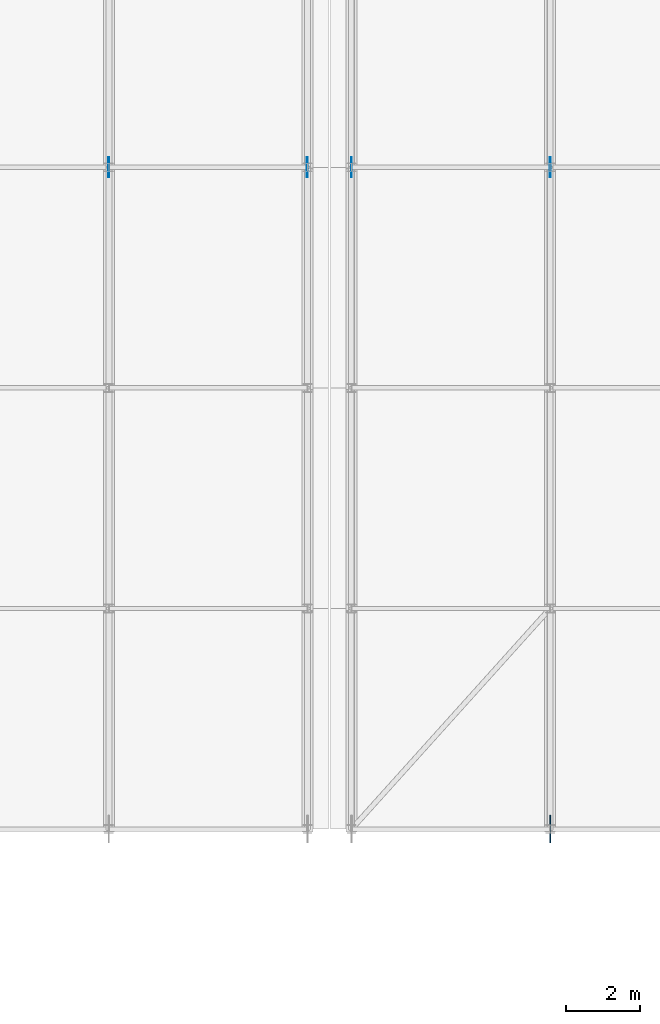
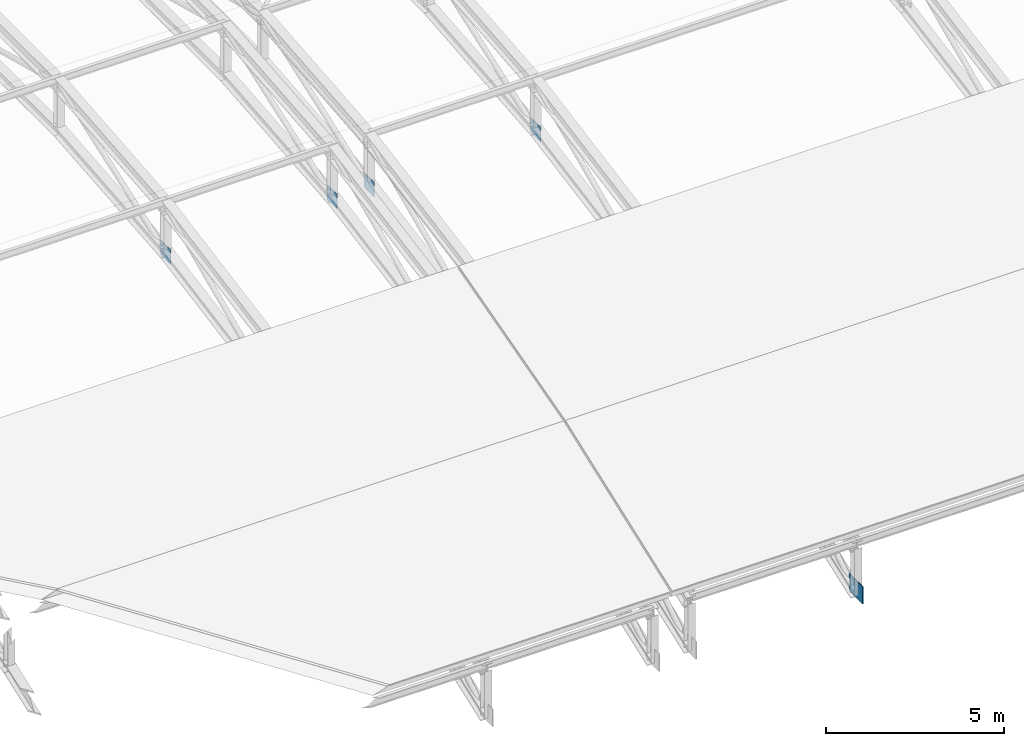
# One storey, part 181 of 204: 5 plates.
"""IFC4 building model written with IfcOpenShell, lengths in metres."""

from ifc_helpers import new_model, si_unit, direction, frame, origin, origin_2d, place, context, subcontext, project, spatial, rectangle, extrude, material, layer, layer_set, type_object, element, save


model = new_model("IFC4")

# Units and contexts
model_context = context("Model", 3, precision=1e-05, world=origin(), true_north=direction((0.0, 1.0)))
body_context = subcontext(model_context, "Body", "Model", "MODEL_VIEW")
ifc_project = project(units=[si_unit("LENGTHUNIT", "METRE"), si_unit("AREAUNIT", "SQUARE_METRE"), si_unit("VOLUMEUNIT", "CUBIC_METRE"), si_unit("PLANEANGLEUNIT", "RADIAN"), si_unit("MASSUNIT", "GRAM", prefix="KILO")], contexts=[model_context])

# Site, building, storey
site_placement = place(None, origin())
site = spatial("IfcSite", under=ifc_project, at=site_placement, CompositionType="ELEMENT")
building_placement = place(site_placement, origin())
building = spatial("IfcBuilding", under=site, at=building_placement, Name="Zilviju Railside Exhibition Hall", CompositionType="ELEMENT")
storey_placement = place(building_placement, frame((0.0, 0.0, 21.0)))
storey = spatial("IfcBuildingStorey", under=building, at=storey_placement, Name="RF", CompositionType="ELEMENT", Elevation=21.0)

# Plates
ifc_material = material(Name="Steel S355ML", Category="steel")
ifc_layer_1 = layer(ifc_material, 0.02392578125)
ifc_layer_set_1 = layer_set([ifc_layer_1], Name="Steel S355ML")
plate_type_1 = type_object("IfcPlateType", Name="PLATE-GP-24", PredefinedType="SHEET", material=ifc_layer_set_1)
for number, where, z_axis, x_axis, name in (
    (1, (168.0, 18.0, -3.072265625), (0.0, 0.0, 1.0), (1.0, 0.0, 0.0), "V1 Truss Node Gusset Plate X=168.0 N3"),
    (2, (173.39990234375, 18.0, -3.072265625), (0.0, 0.0, 1.0), (1.0, 0.0, 0.0), "V1 Truss Node Gusset Plate X=173.4 N3"),
    (3, (174.60009765625, 18.0, -3.072265625), (0.0, 0.0, 1.0), (1.0, 0.0, 0.0), "V1 Truss Node Gusset Plate X=174.6 N3"),
    (4, (180.0, 18.0, -3.072265625), (0.0, 0.0, 1.0), (1.0, 0.0, 0.0), "V1 Truss Node Gusset Plate X=180.0 N3"),
):
    element("IfcPlate", number, at=place(storey_placement, frame(where, z_axis=z_axis, x_axis=x_axis)), inside=storey, type_object=plate_type_1, Name=name, PredefinedType="SHEET", context=body_context, shape_type="SweptSolid", body=[
        extrude(rectangle(XDim=0.02392578125, YDim=0.550048828125, at=origin_2d()), origin(), (0.0, 0.0, 1.0), 0.5),
    ])
ifc_layer_2 = layer(ifc_material, 0.031982421875)
ifc_layer_set_2 = layer_set([ifc_layer_2], Name="Steel S355ML")
plate_type_2 = type_object("IfcPlateType", Name="PLATE-GP-32", PredefinedType="SHEET", material=ifc_layer_set_2)
plate_placement = place(storey_placement, frame((180.0, 0.0, -7.949951171875), z_axis=(0.0, 0.0, 1.0), x_axis=(1.0, 0.0, 0.0)))
element("IfcPlate", 5, at=plate_placement, inside=storey, type_object=plate_type_2, Name="V1 Arch Pin-Shoe Gusset Plate X=180.0", PredefinedType="SHEET", context=body_context, shape_type="SweptSolid", body=[
    extrude(rectangle(XDim=0.031982421875, YDim=0.75, at=origin_2d()), origin(), (0.0, 0.0, 1.0), 0.60009765625),
])

save(model, "model.ifc")
